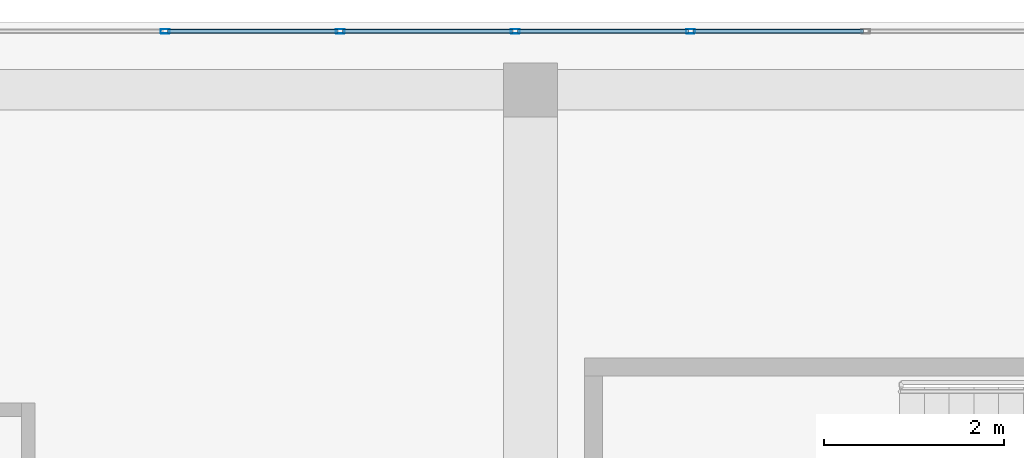
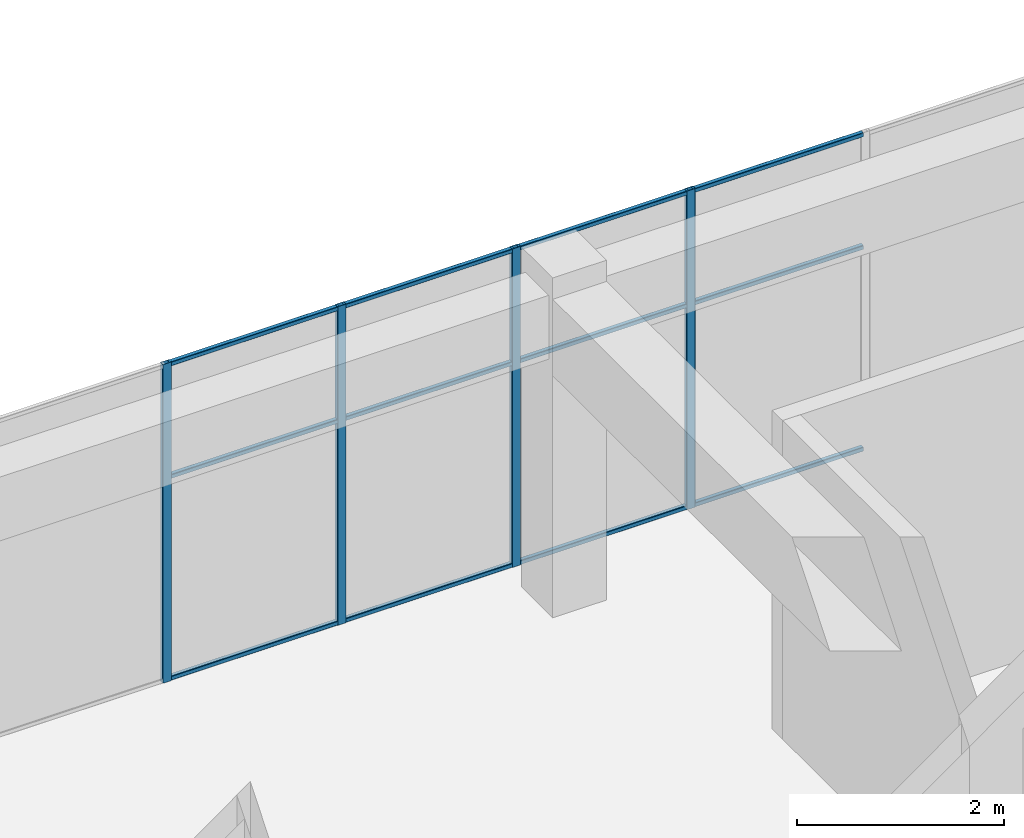
# One storey, part 23 of 32: 16 members, 1 element without a shape of its own.
"""IFC4 building model written with IfcOpenShell, lengths in metres."""

from ifc_helpers import new_model, si_unit, direction, frame, origin, origin_2d, place, context, subcontext, project, spatial, hollow_rectangle, extrude, material, layer, layer_set, material_profile, profile_set, type_object, element, aggregate, save


model = new_model("IFC4")

# Units and contexts
model_context = context("Model", 3, precision=1e-05, world=origin(), true_north=direction((0.0, 1.0)))
body_context = subcontext(model_context, "Body", "Model", "MODEL_VIEW")
ifc_project = project(units=[si_unit("LENGTHUNIT", "METRE"), si_unit("AREAUNIT", "SQUARE_METRE"), si_unit("VOLUMEUNIT", "CUBIC_METRE"), si_unit("PLANEANGLEUNIT", "RADIAN"), si_unit("MASSUNIT", "GRAM", prefix="KILO")], contexts=[model_context])

# Site, building, storey
site_placement = place(None, origin())
site = spatial("IfcSite", under=ifc_project, at=site_placement, CompositionType="ELEMENT")
building_placement = place(site_placement, origin())
building = spatial("IfcBuilding", under=site, at=building_placement, Name="Tuart Plaza Theatre", CompositionType="ELEMENT")
storey_placement = place(building_placement, frame((0.0, 0.0, 41.5)))
storey = spatial("IfcBuildingStorey", under=building, at=storey_placement, Name="L10", CompositionType="ELEMENT", Elevation=41.5)

# Curtain wall, members
ifc_material_1 = material(Name="Aluminium and glass", Category="aluminium")
ifc_layer = layer(ifc_material_1, 0.10009765625)
ifc_layer_set = layer_set([ifc_layer], Name="CURTAIN WALL 2000 module")
curtain_wall_type = type_object("IfcCurtainWallType", Name="CURTAIN WALL 2000 module", PredefinedType="NOTDEFINED", material=ifc_layer_set)
curtain_wall_placement = place(storey_placement, origin())
curtain_wall = element("IfcCurtainWall", 1, at=curtain_wall_placement, inside=storey, type_object=curtain_wall_type, Name="CW105", PredefinedType="NOTDEFINED")
ifc_material_2 = material(Name="Aluminium 6063-T5", Category="aluminium")
ifc_material_profile_1 = material_profile(ifc_material_2, hollow_rectangle(XDim=0.050048828125, YDim=0.10009765625, WallThickness=0.00390625, InnerFilletRadius=0.00390625, OuterFilletRadius=0.008056640625, at=origin_2d()), Name="RHS 100x50x4")
ifc_profile_set_1 = profile_set([ifc_material_profile_1], Name="Aluminium 6063-T5")
member_type_1 = type_object("IfcMemberType", Name="MULLION RHS 100x50x4", PredefinedType="MULLION", material=ifc_profile_set_1)
member_1_placement = place(storey_placement, frame((133.77490234375, 92.64990234375, 0.0), z_axis=(0.0, 0.0, 1.0), x_axis=(0.0, -1.0, 0.0)))
member_1 = element("IfcMember", 2, at=member_1_placement, type_object=member_type_1, Name="CW105 mullion 5", PredefinedType="MULLION", context=body_context, shape_type="SweptSolid", body=[
    extrude(hollow_rectangle(XDim=0.050048828125, YDim=0.10009765625, WallThickness=0.00390625, InnerFilletRadius=0.00390625, OuterFilletRadius=0.008056640625, at=origin_2d()), origin(), (0.0, 0.0, 1.0), 3.75),
])
member_2_placement = place(storey_placement, frame((131.831298828125, 92.64990234375, 0.0), z_axis=(0.0, 0.0, 1.0), x_axis=(0.0, -1.0, 0.0)))
member_2 = element("IfcMember", 3, at=member_2_placement, type_object=member_type_1, Name="CW105 mullion 6", PredefinedType="MULLION", context=body_context, shape_type="SweptSolid", body=[
    extrude(hollow_rectangle(XDim=0.050048828125, YDim=0.10009765625, WallThickness=0.00390625, InnerFilletRadius=0.00390625, OuterFilletRadius=0.008056640625, at=origin_2d()), origin(), (0.0, 0.0, 1.0), 3.75),
])
member_3_placement = place(storey_placement, frame((129.887451171875, 92.64990234375, 0.0), z_axis=(0.0, 0.0, 1.0), x_axis=(0.0, -1.0, 0.0)))
member_3 = element("IfcMember", 4, at=member_3_placement, type_object=member_type_1, Name="CW105 mullion 7", PredefinedType="MULLION", context=body_context, shape_type="SweptSolid", body=[
    extrude(hollow_rectangle(XDim=0.050048828125, YDim=0.10009765625, WallThickness=0.00390625, InnerFilletRadius=0.00390625, OuterFilletRadius=0.008056640625, at=origin_2d()), origin(), (0.0, 0.0, 1.0), 3.75),
])
member_4_placement = place(storey_placement, frame((127.94384765625, 92.64990234375, 0.0), z_axis=(0.0, 0.0, 1.0), x_axis=(0.0, -1.0, 0.0)))
member_4 = element("IfcMember", 5, at=member_4_placement, type_object=member_type_1, Name="CW105 mullion 8", PredefinedType="MULLION", context=body_context, shape_type="SweptSolid", body=[
    extrude(hollow_rectangle(XDim=0.050048828125, YDim=0.10009765625, WallThickness=0.00390625, InnerFilletRadius=0.00390625, OuterFilletRadius=0.008056640625, at=origin_2d()), origin(), (0.0, 0.0, 1.0), 3.75),
])
ifc_material_3 = material(Name="Aluminium 6063-T5", Category="aluminium")
ifc_material_profile_2 = material_profile(ifc_material_3, hollow_rectangle(XDim=0.050048828125, YDim=0.050048828125, WallThickness=0.00390625, InnerFilletRadius=0.00390625, OuterFilletRadius=0.008056640625, at=origin_2d()), Name="RHS 50x50x4")
ifc_profile_set_2 = profile_set([ifc_material_profile_2], Name="Aluminium 6063-T5")
member_type_2 = type_object("IfcMemberType", Name="TRANSOM RHS 50x50x4", PredefinedType="USERDEFINED", material=ifc_profile_set_2)
member_5_placement = place(storey_placement, frame((135.69384765625, 92.64990234375, 0.02490234375), z_axis=(-1.0, 0.0, 0.0), x_axis=(0.0, -1.0, 0.0)))
member_5 = element("IfcMember", 6, at=member_5_placement, type_object=member_type_2, Name="CW105 transom 4.1", ObjectType="TRANSOM", PredefinedType="USERDEFINED", context=body_context, shape_type="SweptSolid", body=[
    extrude(hollow_rectangle(XDim=0.050048828125, YDim=0.050048828125, WallThickness=0.00390625, InnerFilletRadius=0.00390625, OuterFilletRadius=0.008056640625, at=origin_2d()), origin(), (0.0, 0.0, 1.0), 1.893798828125),
])
member_6_placement = place(storey_placement, frame((135.69384765625, 92.64990234375, 2.39990234375), z_axis=(-1.0, 0.0, 0.0), x_axis=(0.0, -1.0, 0.0)))
member_6 = element("IfcMember", 7, at=member_6_placement, type_object=member_type_2, Name="CW105 transom 4.2", ObjectType="TRANSOM", PredefinedType="USERDEFINED", context=body_context, shape_type="SweptSolid", body=[
    extrude(hollow_rectangle(XDim=0.050048828125, YDim=0.050048828125, WallThickness=0.00390625, InnerFilletRadius=0.00390625, OuterFilletRadius=0.008056640625, at=origin_2d()), origin(), (0.0, 0.0, 1.0), 1.893798828125),
])
member_7_placement = place(storey_placement, frame((135.69384765625, 92.64990234375, 3.72509765625), z_axis=(-1.0, 0.0, 0.0), x_axis=(0.0, -1.0, 0.0)))
member_7 = element("IfcMember", 8, at=member_7_placement, type_object=member_type_2, Name="CW105 transom 4.3", ObjectType="TRANSOM", PredefinedType="USERDEFINED", context=body_context, shape_type="SweptSolid", body=[
    extrude(hollow_rectangle(XDim=0.050048828125, YDim=0.050048828125, WallThickness=0.00390625, InnerFilletRadius=0.00390625, OuterFilletRadius=0.008056640625, at=origin_2d()), origin(), (0.0, 0.0, 1.0), 1.893798828125),
])
member_8_placement = place(storey_placement, frame((133.75, 92.64990234375, 0.02490234375), z_axis=(-1.0, 0.0, 0.0), x_axis=(0.0, -1.0, 0.0)))
member_8 = element("IfcMember", 9, at=member_8_placement, type_object=member_type_2, Name="CW105 transom 5.1", ObjectType="TRANSOM", PredefinedType="USERDEFINED", context=body_context, shape_type="SweptSolid", body=[
    extrude(hollow_rectangle(XDim=0.050048828125, YDim=0.050048828125, WallThickness=0.00390625, InnerFilletRadius=0.00390625, OuterFilletRadius=0.008056640625, at=origin_2d()), origin(), (0.0, 0.0, 1.0), 1.893798828125),
])
member_9_placement = place(storey_placement, frame((133.75, 92.64990234375, 2.39990234375), z_axis=(-1.0, 0.0, 0.0), x_axis=(0.0, -1.0, 0.0)))
member_9 = element("IfcMember", 10, at=member_9_placement, type_object=member_type_2, Name="CW105 transom 5.2", ObjectType="TRANSOM", PredefinedType="USERDEFINED", context=body_context, shape_type="SweptSolid", body=[
    extrude(hollow_rectangle(XDim=0.050048828125, YDim=0.050048828125, WallThickness=0.00390625, InnerFilletRadius=0.00390625, OuterFilletRadius=0.008056640625, at=origin_2d()), origin(), (0.0, 0.0, 1.0), 1.893798828125),
])
member_10_placement = place(storey_placement, frame((133.75, 92.64990234375, 3.72509765625), z_axis=(-1.0, 0.0, 0.0), x_axis=(0.0, -1.0, 0.0)))
member_10 = element("IfcMember", 11, at=member_10_placement, type_object=member_type_2, Name="CW105 transom 5.3", ObjectType="TRANSOM", PredefinedType="USERDEFINED", context=body_context, shape_type="SweptSolid", body=[
    extrude(hollow_rectangle(XDim=0.050048828125, YDim=0.050048828125, WallThickness=0.00390625, InnerFilletRadius=0.00390625, OuterFilletRadius=0.008056640625, at=origin_2d()), origin(), (0.0, 0.0, 1.0), 1.893798828125),
])
member_11_placement = place(storey_placement, frame((131.80615234375, 92.64990234375, 0.02490234375), z_axis=(-1.0, 0.0, 0.0), x_axis=(0.0, -1.0, 0.0)))
member_11 = element("IfcMember", 12, at=member_11_placement, type_object=member_type_2, Name="CW105 transom 6.1", ObjectType="TRANSOM", PredefinedType="USERDEFINED", context=body_context, shape_type="SweptSolid", body=[
    extrude(hollow_rectangle(XDim=0.050048828125, YDim=0.050048828125, WallThickness=0.00390625, InnerFilletRadius=0.00390625, OuterFilletRadius=0.008056640625, at=origin_2d()), origin(), (0.0, 0.0, 1.0), 1.8935546875),
])
member_12_placement = place(storey_placement, frame((131.80615234375, 92.64990234375, 2.39990234375), z_axis=(-1.0, 0.0, 0.0), x_axis=(0.0, -1.0, 0.0)))
member_12 = element("IfcMember", 13, at=member_12_placement, type_object=member_type_2, Name="CW105 transom 6.2", ObjectType="TRANSOM", PredefinedType="USERDEFINED", context=body_context, shape_type="SweptSolid", body=[
    extrude(hollow_rectangle(XDim=0.050048828125, YDim=0.050048828125, WallThickness=0.00390625, InnerFilletRadius=0.00390625, OuterFilletRadius=0.008056640625, at=origin_2d()), origin(), (0.0, 0.0, 1.0), 1.8935546875),
])
member_13_placement = place(storey_placement, frame((131.80615234375, 92.64990234375, 3.72509765625), z_axis=(-1.0, 0.0, 0.0), x_axis=(0.0, -1.0, 0.0)))
member_13 = element("IfcMember", 14, at=member_13_placement, type_object=member_type_2, Name="CW105 transom 6.3", ObjectType="TRANSOM", PredefinedType="USERDEFINED", context=body_context, shape_type="SweptSolid", body=[
    extrude(hollow_rectangle(XDim=0.050048828125, YDim=0.050048828125, WallThickness=0.00390625, InnerFilletRadius=0.00390625, OuterFilletRadius=0.008056640625, at=origin_2d()), origin(), (0.0, 0.0, 1.0), 1.8935546875),
])
member_14_placement = place(storey_placement, frame((129.862548828125, 92.64990234375, 0.02490234375), z_axis=(-1.0, 0.0, 0.0), x_axis=(0.0, -1.0, 0.0)))
member_14 = element("IfcMember", 15, at=member_14_placement, type_object=member_type_2, Name="CW105 transom 7.1", ObjectType="TRANSOM", PredefinedType="USERDEFINED", context=body_context, shape_type="SweptSolid", body=[
    extrude(hollow_rectangle(XDim=0.050048828125, YDim=0.050048828125, WallThickness=0.00390625, InnerFilletRadius=0.00390625, OuterFilletRadius=0.008056640625, at=origin_2d()), origin(), (0.0, 0.0, 1.0), 1.893798828125),
])
member_15_placement = place(storey_placement, frame((129.862548828125, 92.64990234375, 2.39990234375), z_axis=(-1.0, 0.0, 0.0), x_axis=(0.0, -1.0, 0.0)))
member_15 = element("IfcMember", 16, at=member_15_placement, type_object=member_type_2, Name="CW105 transom 7.2", ObjectType="TRANSOM", PredefinedType="USERDEFINED", context=body_context, shape_type="SweptSolid", body=[
    extrude(hollow_rectangle(XDim=0.050048828125, YDim=0.050048828125, WallThickness=0.00390625, InnerFilletRadius=0.00390625, OuterFilletRadius=0.008056640625, at=origin_2d()), origin(), (0.0, 0.0, 1.0), 1.893798828125),
])
member_16_placement = place(storey_placement, frame((129.862548828125, 92.64990234375, 3.72509765625), z_axis=(-1.0, 0.0, 0.0), x_axis=(0.0, -1.0, 0.0)))
member_16 = element("IfcMember", 17, at=member_16_placement, type_object=member_type_2, Name="CW105 transom 7.3", ObjectType="TRANSOM", PredefinedType="USERDEFINED", context=body_context, shape_type="SweptSolid", body=[
    extrude(hollow_rectangle(XDim=0.050048828125, YDim=0.050048828125, WallThickness=0.00390625, InnerFilletRadius=0.00390625, OuterFilletRadius=0.008056640625, at=origin_2d()), origin(), (0.0, 0.0, 1.0), 1.893798828125),
])
aggregate(curtain_wall, [member_1, member_2, member_3, member_4, member_5, member_6, member_7, member_8, member_9, member_10, member_11, member_12, member_13, member_14, member_15, member_16])

save(model, "model.ifc")
